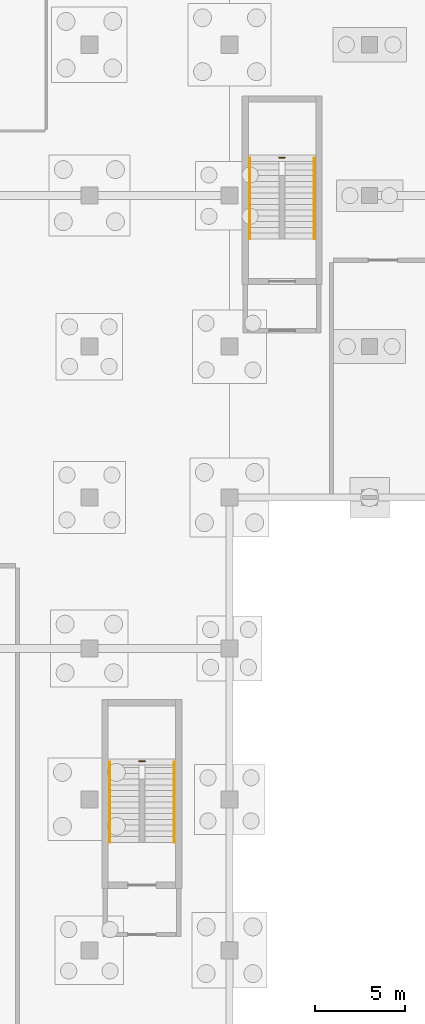
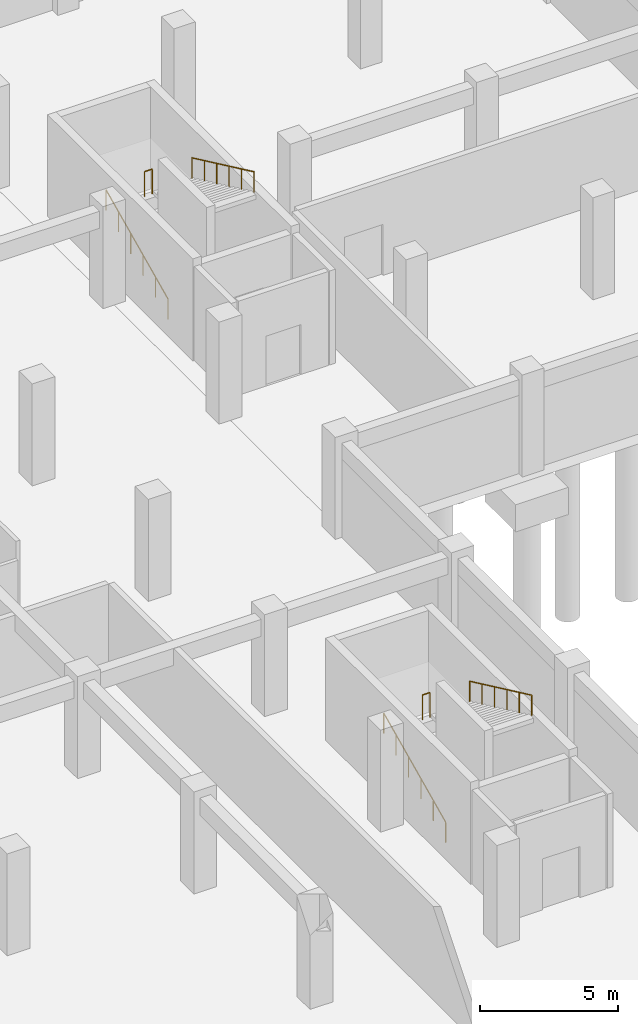
# One storey, part 28 of 30: 6 railings.
"""IFC4 building model written with IfcOpenShell, lengths in metres."""

from ifc_helpers import new_model, si_unit, direction, frame, origin, origin_2d, place, context, subcontext, project, spatial, circle, extrude, material, type_object, element, save


model = new_model("IFC4")

# Units and contexts
model_context = context("Model", 3, precision=1e-05, world=origin(), true_north=direction((0.0, 1.0)))
body_context = subcontext(model_context, "Body", "Model", "MODEL_VIEW")
ifc_project = project(units=[si_unit("LENGTHUNIT", "METRE"), si_unit("AREAUNIT", "SQUARE_METRE"), si_unit("VOLUMEUNIT", "CUBIC_METRE"), si_unit("PLANEANGLEUNIT", "RADIAN"), si_unit("MASSUNIT", "GRAM", prefix="KILO"), si_unit("THERMODYNAMICTEMPERATUREUNIT", "KELVIN"), si_unit("POWERUNIT", "WATT")], contexts=[model_context])

# Site, building, storey
site_placement = place(None, origin())
site = spatial("IfcSite", under=ifc_project, at=site_placement, CompositionType="ELEMENT")
building_placement = place(site_placement, origin())
building = spatial("IfcBuilding", under=site, at=building_placement, Name="Srebrne Nadtorze General Hospital", CompositionType="ELEMENT")
storey_placement = place(building_placement, frame((0.0, 0.0, -4.5)))
storey = spatial("IfcBuildingStorey", under=building, at=storey_placement, Name="B1", CompositionType="ELEMENT", Elevation=-4.5)

# Railings
ifc_material_1 = material(Name="Stainless Steel 316", Category="steel")
railing_type_1 = type_object("IfcRailingType", Name="Stairwell safety guard 1120", PredefinedType="BALUSTRADE", material=ifc_material_1)
railing_1_placement = place(storey_placement, frame((150.965087890625, 52.52001953125, 2.25)))
element("IfcRailing", 1, at=railing_1_placement, inside=storey, type_object=railing_type_1, Name="Half landing well guard ST-06-B1", PredefinedType="BALUSTRADE", context=body_context, shape_type="SweptSolid", body=[
    extrude(circle(Radius=0.02392578125, at=origin_2d()), frame((0.0, 0.0, 1.09619140625), z_axis=(1.0, 0.0, 0.0), x_axis=(0.0, 1.0, 0.0)), (0.0, 0.0, 1.0), 0.31982421875),
    extrude(circle(Radius=0.02099609375, at=origin_2d()), origin(), (0.0, 0.0, 1.0), 1.072021484375),
    extrude(circle(Radius=0.02099609375, at=origin_2d()), frame((0.31982421875, 0.0, 0.0)), (0.0, 0.0, 1.0), 1.072021484375),
])
railing_2_placement = place(storey_placement, frame((143.1650390625, 18.919921875, 2.25)))
element("IfcRailing", 2, at=railing_2_placement, inside=storey, type_object=railing_type_1, Name="Half landing well guard ST-08-B1", PredefinedType="BALUSTRADE", context=body_context, shape_type="SweptSolid", body=[
    extrude(circle(Radius=0.02392578125, at=origin_2d()), frame((0.0, 0.0, 1.09619140625), z_axis=(1.0, 0.0, 0.0), x_axis=(0.0, 1.0, 0.0)), (0.0, 0.0, 1.0), 0.320068359375),
    extrude(circle(Radius=0.02099609375, at=origin_2d()), origin(), (0.0, 0.0, 1.0), 1.072021484375),
    extrude(circle(Radius=0.02099609375, at=origin_2d()), frame((0.320068359375, 0.0, 0.0)), (0.0, 0.0, 1.0), 1.072021484375),
])
ifc_material_2 = material(Name="Stainless Steel 316", Category="steel")
railing_type_2 = type_object("IfcRailingType", Name="Tubular stainless handrail 920", PredefinedType="HANDRAIL", material=ifc_material_2)
railing_3_placement = place(storey_placement, frame((149.330078125, 48.0, 0.14990234375)))
element("IfcRailing", 3, at=railing_3_placement, inside=storey, type_object=railing_type_2, Name="Stair flight handrail ST-06-B1 F1", PredefinedType="HANDRAIL", context=body_context, shape_type="SweptSolid", body=[
    extrude(circle(Radius=0.02392578125, at=origin_2d()), frame((0.0, 0.0, 0.89599609375), z_axis=(0.0, 0.905450639465, 0.424451574969), x_axis=(-1.0, 0.0, 0.0)), (0.0, 0.0, 1.0), 4.94775390625),
    extrude(circle(Radius=0.02099609375, at=origin_2d()), origin(), (0.0, 0.0, 1.0), 0.871826171875),
    extrude(circle(Radius=0.02099609375, at=origin_2d()), frame((0.0, 0.89599609375, 0.419921875)), (0.0, 0.0, 1.0), 0.871826171875),
    extrude(circle(Radius=0.02099609375, at=origin_2d()), frame((0.0, 1.7919921875, 0.840087890625)), (0.0, 0.0, 1.0), 0.871826171875),
    extrude(circle(Radius=0.02099609375, at=origin_2d()), frame((0.0, 2.68798828125, 1.260009765625)), (0.0, 0.0, 1.0), 0.871826171875),
    extrude(circle(Radius=0.02099609375, at=origin_2d()), frame((0.0, 3.583984375, 1.68017578125)), (0.0, 0.0, 1.0), 0.871826171875),
    extrude(circle(Radius=0.02099609375, at=origin_2d()), frame((0.0, 4.47998046875, 2.10009765625)), (0.0, 0.0, 1.0), 0.871826171875),
])
railing_4_placement = place(storey_placement, frame((152.919921875, 52.47998046875, 2.39990234375)))
element("IfcRailing", 4, at=railing_4_placement, inside=storey, type_object=railing_type_2, Name="Stair flight handrail ST-06-B1 F2", PredefinedType="HANDRAIL", context=body_context, shape_type="SweptSolid", body=[
    extrude(circle(Radius=0.02392578125, at=origin_2d()), frame((0.0, 0.0, 0.89599609375), z_axis=(0.0, -0.905450639465, 0.424451574969), x_axis=(1.0, 0.0, 0.0)), (0.0, 0.0, 1.0), 4.94775390625),
    extrude(circle(Radius=0.02099609375, at=origin_2d()), origin(), (0.0, 0.0, 1.0), 0.871826171875),
    extrude(circle(Radius=0.02099609375, at=origin_2d()), frame((0.0, -0.89599609375, 0.419921875)), (0.0, 0.0, 1.0), 0.871826171875),
    extrude(circle(Radius=0.02099609375, at=origin_2d()), frame((0.0, -1.7919921875, 0.840087890625)), (0.0, 0.0, 1.0), 0.871826171875),
    extrude(circle(Radius=0.02099609375, at=origin_2d()), frame((0.0, -2.68798828125, 1.260009765625)), (0.0, 0.0, 1.0), 0.871826171875),
    extrude(circle(Radius=0.02099609375, at=origin_2d()), frame((0.0, -3.583984375, 1.68017578125)), (0.0, 0.0, 1.0), 0.871826171875),
    extrude(circle(Radius=0.02099609375, at=origin_2d()), frame((0.0, -4.47998046875, 2.10009765625)), (0.0, 0.0, 1.0), 0.871826171875),
])
railing_5_placement = place(storey_placement, frame((141.530029296875, 14.39990234375, 0.14990234375)))
element("IfcRailing", 5, at=railing_5_placement, inside=storey, type_object=railing_type_2, Name="Stair flight handrail ST-08-B1 F1", PredefinedType="HANDRAIL", context=body_context, shape_type="SweptSolid", body=[
    extrude(circle(Radius=0.02392578125, at=origin_2d()), frame((0.0, 0.0, 0.89599609375), z_axis=(0.0, 0.905450639465, 0.424451574969), x_axis=(-1.0, 0.0, 0.0)), (0.0, 0.0, 1.0), 4.94775390625),
    extrude(circle(Radius=0.02099609375, at=origin_2d()), origin(), (0.0, 0.0, 1.0), 0.871826171875),
    extrude(circle(Radius=0.02099609375, at=origin_2d()), frame((0.0, 0.89599609375, 0.419921875)), (0.0, 0.0, 1.0), 0.871826171875),
    extrude(circle(Radius=0.02099609375, at=origin_2d()), frame((0.0, 1.7919921875, 0.840087890625)), (0.0, 0.0, 1.0), 0.871826171875),
    extrude(circle(Radius=0.02099609375, at=origin_2d()), frame((0.0, 2.68798828125, 1.260009765625)), (0.0, 0.0, 1.0), 0.871826171875),
    extrude(circle(Radius=0.02099609375, at=origin_2d()), frame((0.0, 3.583984375, 1.68017578125)), (0.0, 0.0, 1.0), 0.871826171875),
    extrude(circle(Radius=0.02099609375, at=origin_2d()), frame((0.0, 4.47998046875, 2.10009765625)), (0.0, 0.0, 1.0), 0.871826171875),
])
railing_6_placement = place(storey_placement, frame((145.1201171875, 18.8798828125, 2.39990234375)))
element("IfcRailing", 6, at=railing_6_placement, inside=storey, type_object=railing_type_2, Name="Stair flight handrail ST-08-B1 F2", PredefinedType="HANDRAIL", context=body_context, shape_type="SweptSolid", body=[
    extrude(circle(Radius=0.02392578125, at=origin_2d()), frame((0.0, 0.0, 0.89599609375), z_axis=(0.0, -0.905450639465, 0.424451574969), x_axis=(1.0, 0.0, 0.0)), (0.0, 0.0, 1.0), 4.94775390625),
    extrude(circle(Radius=0.02099609375, at=origin_2d()), origin(), (0.0, 0.0, 1.0), 0.871826171875),
    extrude(circle(Radius=0.02099609375, at=origin_2d()), frame((0.0, -0.89599609375, 0.419921875)), (0.0, 0.0, 1.0), 0.871826171875),
    extrude(circle(Radius=0.02099609375, at=origin_2d()), frame((0.0, -1.7919921875, 0.840087890625)), (0.0, 0.0, 1.0), 0.871826171875),
    extrude(circle(Radius=0.02099609375, at=origin_2d()), frame((0.0, -2.68798828125, 1.260009765625)), (0.0, 0.0, 1.0), 0.871826171875),
    extrude(circle(Radius=0.02099609375, at=origin_2d()), frame((0.0, -3.583984375, 1.68017578125)), (0.0, 0.0, 1.0), 0.871826171875),
    extrude(circle(Radius=0.02099609375, at=origin_2d()), frame((0.0, -4.47998046875, 2.10009765625)), (0.0, 0.0, 1.0), 0.871826171875),
])

save(model, "model.ifc")
